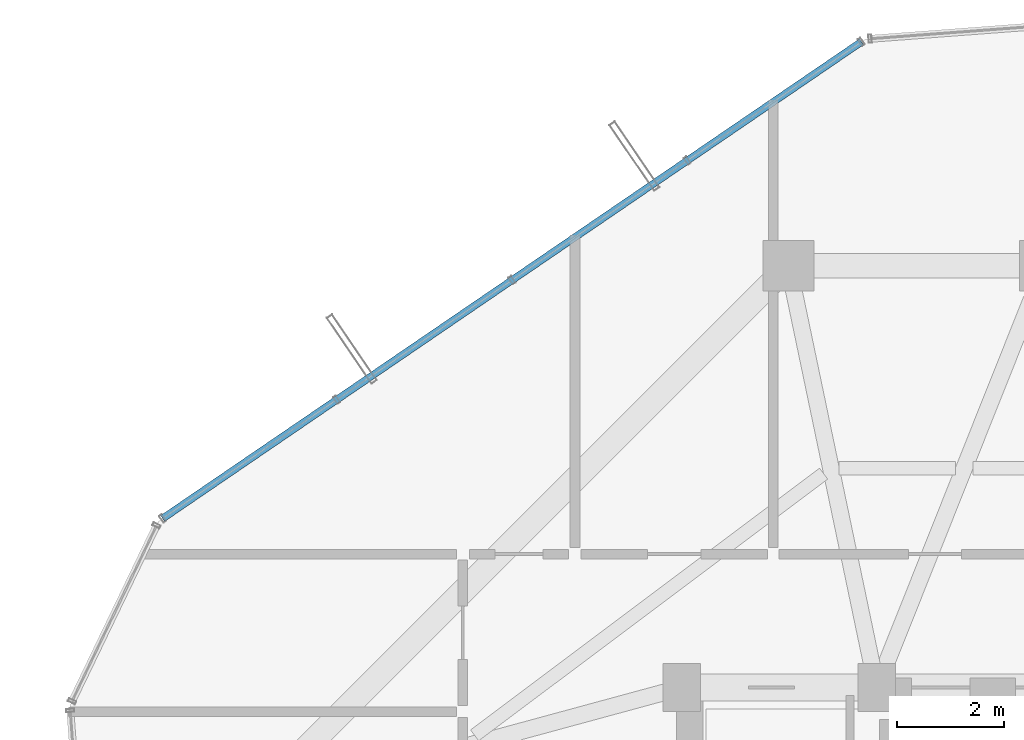
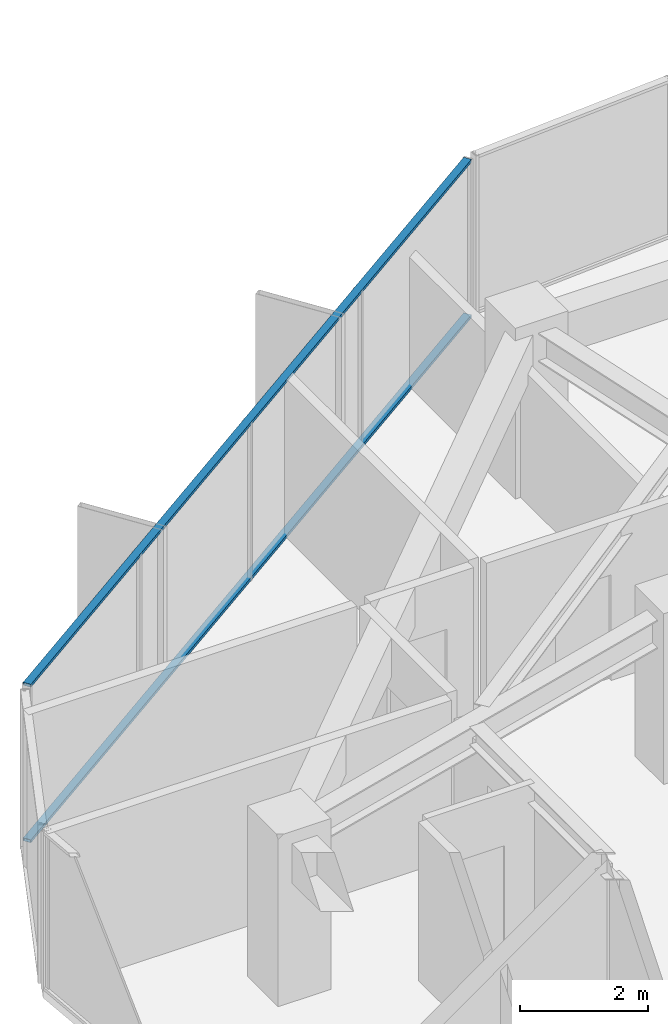
# One storey, part 24 of 34: 2 members, 1 element without a shape of its own.
"""IFC4 building model written with IfcOpenShell, lengths in metres."""

from ifc_helpers import new_model, si_unit, direction, frame, origin, origin_2d, place, context, subcontext, project, spatial, hollow_rectangle, extrude, source, transform, mapped, material, layer, layer_set, material_profile, profile_set, type_object, element, aggregate, save


model = new_model("IFC4")

# Units and contexts
model_context = context("Model", 3, precision=1e-05, world=origin(), true_north=direction((0.0, 1.0)))
body_context = subcontext(model_context, "Body", "Model", "MODEL_VIEW")
ifc_project = project(units=[si_unit("LENGTHUNIT", "METRE"), si_unit("AREAUNIT", "SQUARE_METRE"), si_unit("VOLUMEUNIT", "CUBIC_METRE"), si_unit("PLANEANGLEUNIT", "RADIAN"), si_unit("MASSUNIT", "GRAM", prefix="KILO")], contexts=[model_context])

# Site, building, storey
site_placement = place(None, origin())
site = spatial("IfcSite", under=ifc_project, at=site_placement, CompositionType="ELEMENT")
building_placement = place(site_placement, origin())
building = spatial("IfcBuilding", under=site, at=building_placement, Name="Veraguas Prism Commons", CompositionType="ELEMENT")
storey_placement = place(building_placement, frame((0.0, 0.0, 191.85009765625)))
storey = spatial("IfcBuildingStorey", under=building, at=storey_placement, Name="L54", CompositionType="ELEMENT", Elevation=191.85009765625)

# Curtain wall, members
ifc_material = material(Name="Anodised aluminium EN AW-6063 T6", Category="aluminium")
ifc_layer = layer(ifc_material, 0.14990234375, Name="Unitised Flush Curtain Wall Zone 3", Category="aluminium")
ifc_layer_set = layer_set([ifc_layer], Name="Anodised aluminium EN AW-6063 T6")
curtain_wall_type = type_object("IfcCurtainWallType", Name="Unitised Flush Curtain Wall Zone 3", PredefinedType="NOTDEFINED", material=ifc_layer_set)
curtain_wall_placement = place(storey_placement, origin())
curtain_wall = element("IfcCurtainWall", 1, at=curtain_wall_placement, inside=storey, type_object=curtain_wall_type, Name="Tower Facade Curtain Wall L54-F2", PredefinedType="NOTDEFINED")
ifc_material_profile = material_profile(ifc_material, hollow_rectangle(XDim=0.054931640625, YDim=0.135009765625, WallThickness=0.0029296875, at=origin_2d()), Name="AL55X135X3")
ifc_profile_set = profile_set([ifc_material_profile], Name="Anodised aluminium EN AW-6063 T6")
member_type = type_object("IfcMemberType", Name="Curtain Wall Transom Standard AL 55x135x3", PredefinedType="USERDEFINED", material=ifc_profile_set)
shared_shape = source(origin(), body_context, "Body", "SweptSolid", [
    extrude(hollow_rectangle(XDim=0.054931640625, YDim=0.135009765625, WallThickness=0.0029296875, at=origin_2d()), origin(), (0.0, 0.0, 1.0), 15.842529296875),
])
member_1_placement = place(storey_placement, frame((20.5634765625, 43.09423828125, 0.02734375), z_axis=(-0.826094950592, -0.563530950887, 0.0), x_axis=(0.0, 0.0, 1.0)))
member_1 = element("IfcMember", 2, at=member_1_placement, type_object=member_type, Name="CW-Z3 Transom 1", ObjectType="TRANSOM", PredefinedType="USERDEFINED", context=body_context, shape_type="MappedRepresentation", body=[
    mapped(shared_shape, transform((0.0, 0.0, 0.0), scale=1.0)),
])
member_2_placement = place(storey_placement, frame((20.5634765625, 43.09423828125, 2.9873046875), z_axis=(-0.826094950592, -0.563530950887, 0.0), x_axis=(0.0, 0.0, 1.0)))
member_2 = element("IfcMember", 3, at=member_2_placement, type_object=member_type, Name="CW-Z3 Transom 2", ObjectType="TRANSOM", PredefinedType="USERDEFINED", context=body_context, shape_type="MappedRepresentation", body=[
    mapped(shared_shape, transform((0.0, 0.0, 0.0), scale=1.0)),
])
aggregate(curtain_wall, [member_1, member_2])

save(model, "model.ifc")
